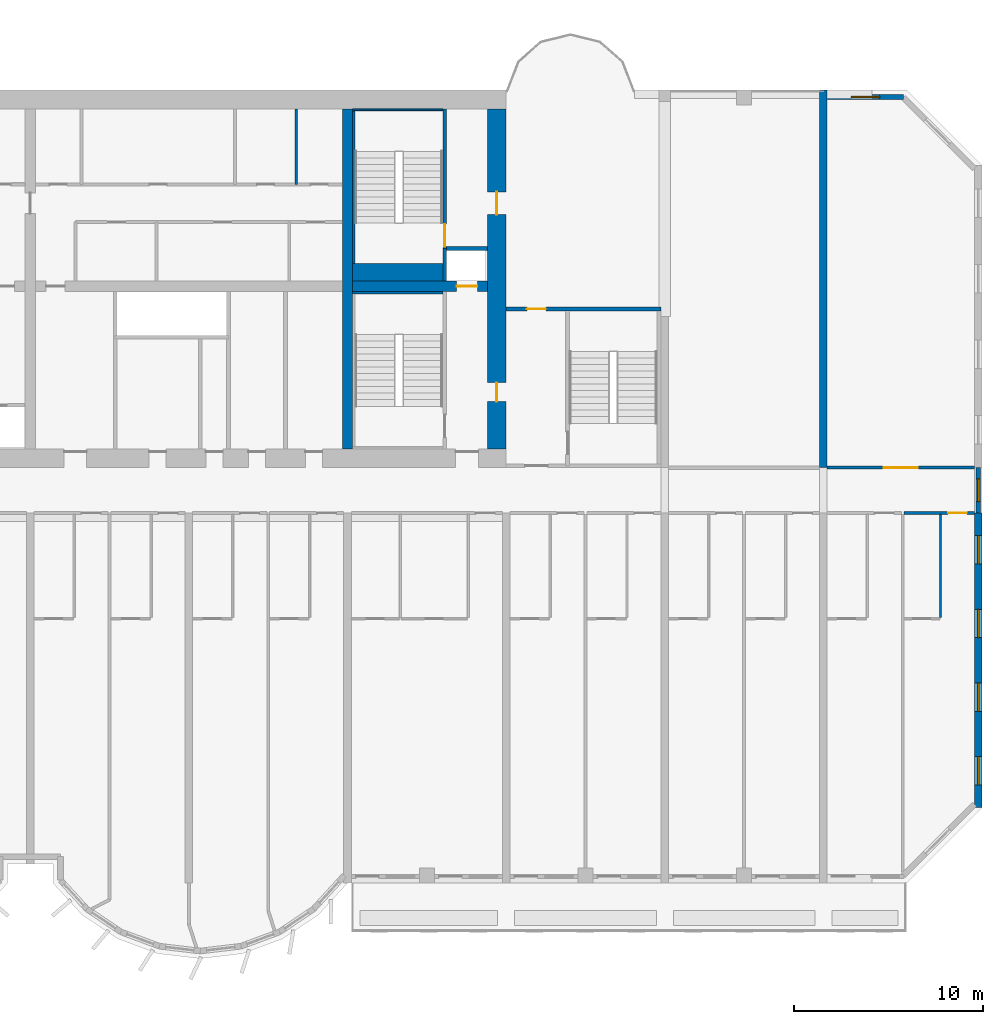
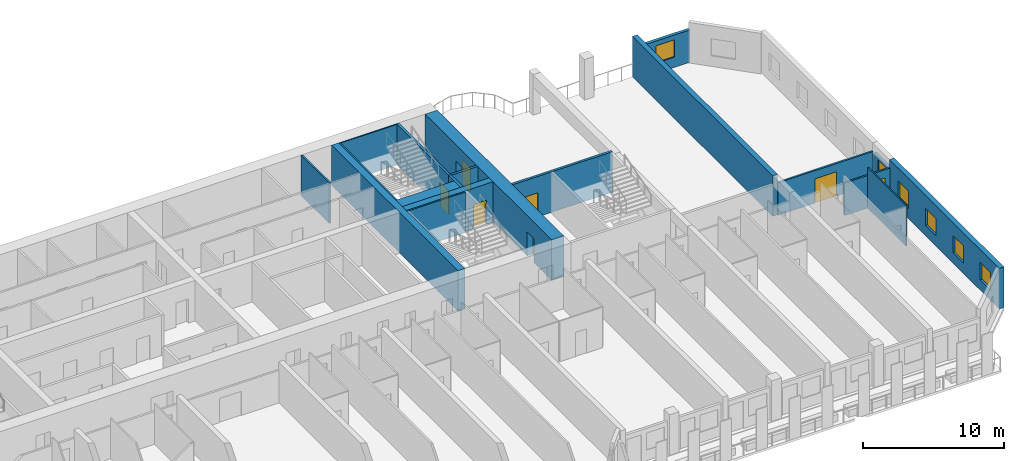
# One storey, part 10 of 14: 19 walls, 7 doors, 6 windows, 13 openings.
"""IFC4 building model written with IfcOpenShell, lengths in metres."""

from ifc_helpers import new_model, si_unit, direction, frame, frame_2d, origin, place, context, subcontext, project, spatial, rectangle, extrude, source, transform, mapped, material, layer, layer_set, type_object, element, fill, save


model = new_model("IFC4")

# Units and contexts
model_context = context("Model", 3, precision=1e-05, world=origin(), true_north=direction((0.0, 1.0)))
body_context = subcontext(model_context, "Body", "Model", "MODEL_VIEW")
ifc_project = project(units=[si_unit("LENGTHUNIT", "METRE"), si_unit("AREAUNIT", "SQUARE_METRE"), si_unit("VOLUMEUNIT", "CUBIC_METRE"), si_unit("PLANEANGLEUNIT", "RADIAN"), si_unit("MASSUNIT", "GRAM", prefix="KILO")], contexts=[model_context])

# Site, building, storey
site_placement = place(None, origin())
site = spatial("IfcSite", under=ifc_project, at=site_placement, CompositionType="ELEMENT")
building_placement = place(site_placement, origin())
building = spatial("IfcBuilding", under=site, at=building_placement, Name="Vanashikhar Sky Hotel", CompositionType="ELEMENT")
storey_placement = place(building_placement, frame((0.0, 0.0, 58.199951171875)))
storey = spatial("IfcBuildingStorey", under=building, at=storey_placement, Name="L13", CompositionType="ELEMENT", Elevation=58.199951171875)

# Wall, openings, doors
ifc_material_1 = material(Name="Concrete M80", Category="concrete")
ifc_layer_1 = layer(ifc_material_1, 1.0)
ifc_layer_set_1 = layer_set([ifc_layer_1], Name="RC core shell wall 1000 Concrete M80")
wall_type_1 = type_object("IfcWallType", Name="RC core shell wall 1000 Concrete M80", PredefinedType="SHEAR", material=ifc_layer_set_1)
shared_shape_1 = source(origin(), body_context, "Body", "SweptSolid", [
    extrude(rectangle(XDim=18.0, YDim=1.0, at=frame_2d((9.0, 0.0))), origin(), (0.0, 0.0, 1.0), 3.52001953125),
])
wall_1_placement = place(storey_placement, frame((75.10009765625, 23.0, 0.0), z_axis=(0.0, 0.0, 1.0), x_axis=(0.0, 1.0, 0.0)))
wall_1 = element("IfcWall", 1, at=wall_1_placement, inside=storey, type_object=wall_type_1, Name="KW-L13-KE", PredefinedType="SHEAR", context=body_context, shape_type="MappedRepresentation", body=[
    mapped(shared_shape_1, transform((0.0, 0.0, 0.0), scale=1.0)),
])
shared_shape_2 = source(origin(), body_context, "Body", "SweptSolid", [
    extrude(rectangle(XDim=1.0, YDim=2.10009765625, at=frame_2d((0.5, 1.050048828125))), frame((0.0, 0.510009765625, 0.0), z_axis=(0.0, -1.0, 0.0), x_axis=(1.0, 0.0, 0.0)), (0.0, 0.0, 1.0), 1.02001953125),
])
opening_1_placement = place(wall_1_placement, frame((2.5, 0.0, 0.0)))
opening_1 = element("IfcOpeningElement", 2, at=opening_1_placement, cuts=wall_1, Name="Opening DC-5", PredefinedType="OPENING", context=body_context, shape_type="MappedRepresentation", body=[
    mapped(shared_shape_2, transform((0.0, 0.0, 0.0), scale=1.0)),
])
shared_shape_3 = source(origin(), body_context, "Body", "SweptSolid", [
    extrude(rectangle(XDim=1.199951171875, YDim=2.10009765625, at=frame_2d((0.60009765625, 1.050048828125))), frame((0.0, 0.510009765625, 0.0), z_axis=(0.0, -1.0, 0.0), x_axis=(1.0, 0.0, 0.0)), (0.0, 0.0, 1.0), 1.02001953125),
])
opening_2_placement = place(wall_1_placement, frame((12.39990234375, 0.0, 0.0)))
opening_2 = element("IfcOpeningElement", 3, at=opening_2_placement, cuts=wall_1, Name="Opening DC-4-D", PredefinedType="OPENING", context=body_context, shape_type="MappedRepresentation", body=[
    mapped(shared_shape_3, transform((0.0, 0.0, 0.0), scale=1.0)),
])
ifc_material_2 = material(Name="Steel", Category="steel")
door_type_1 = type_object("IfcDoorType", Name="Refuge door 1000 FD120", OperationType="NOTDEFINED", PredefinedType="DOOR", material=ifc_material_2)
shared_shape_4 = source(origin(), body_context, "Body", "SweptSolid", [
    extrude(rectangle(XDim=1.0, YDim=2.10009765625, at=frame_2d((0.5, 1.050048828125))), frame((0.0, 0.02490234375, 0.0), z_axis=(0.0, -1.0, 0.0), x_axis=(1.0, 0.0, 0.0)), (0.0, 0.0, 1.0), 0.050048828125),
])
door_1_placement = place(opening_1_placement, origin())
door_1 = element("IfcDoor", 4, at=door_1_placement, inside=storey, type_object=door_type_1, Name="Refuge door 1000 FD120", OperationType="SINGLE_SWING_LEFT", OverallHeight=2.10009765625, OverallWidth=1.0, PredefinedType="DOOR", context=body_context, shape_type="MappedRepresentation", body=[
    mapped(shared_shape_4, transform((0.0, 0.0, 0.0), scale=1.0)),
])
fill(opening_1, door_1)
door_type_2 = type_object("IfcDoorType", Name="Service door 1200 FD120", OperationType="NOTDEFINED", PredefinedType="DOOR", material=ifc_material_2)
shared_shape_5 = source(origin(), body_context, "Body", "SweptSolid", [
    extrude(rectangle(XDim=1.199951171875, YDim=2.10009765625, at=frame_2d((0.60009765625, 1.050048828125))), frame((0.0, 0.02490234375, 0.0), z_axis=(0.0, -1.0, 0.0), x_axis=(1.0, 0.0, 0.0)), (0.0, 0.0, 1.0), 0.050048828125),
])
door_2_placement = place(opening_2_placement, origin())
door_2 = element("IfcDoor", 5, at=door_2_placement, inside=storey, type_object=door_type_2, Name="Service door 1200 FD120", OperationType="SINGLE_SWING_RIGHT", OverallHeight=2.10009765625, OverallWidth=1.199951171875, PredefinedType="DOOR", context=body_context, shape_type="MappedRepresentation", body=[
    mapped(shared_shape_5, transform((0.0, 0.0, 0.0), scale=1.0)),
])
fill(opening_2, door_2)

# Wall
ifc_layer_2 = layer(ifc_material_1, 0.550048828125)
ifc_layer_set_2 = layer_set([ifc_layer_2], Name="RC core inner wall 550 Concrete M80")
wall_type_2 = type_object("IfcWallType", Name="RC core inner wall 550 Concrete M80", PredefinedType="SHEAR", material=ifc_layer_set_2)
shared_shape_6 = source(origin(), body_context, "Body", "SweptSolid", [
    extrude(rectangle(XDim=18.0, YDim=0.550048828125, at=frame_2d((9.0, 0.0))), origin(), (0.0, 0.0, 1.0), 3.52001953125),
])
wall_2_placement = place(storey_placement, frame((67.199951171875, 23.0, 0.0), z_axis=(0.0, 0.0, 1.0), x_axis=(0.0, 1.0, 0.0)))
element("IfcWall", 6, at=wall_2_placement, inside=storey, type_object=wall_type_2, Name="KW-L13-KX3", PredefinedType="SHEAR", context=body_context, shape_type="MappedRepresentation", body=[
    mapped(shared_shape_6, transform((0.0, 0.0, 0.0), scale=1.0)),
])

# Wall, opening, door
shared_shape_7 = source(origin(), body_context, "Body", "SweptSolid", [
    extrude(rectangle(XDim=7.125, YDim=0.550048828125, at=frame_2d((3.5625, 0.0))), origin(), (0.0, 0.0, 1.0), 3.52001953125),
])
wall_3_placement = place(storey_placement, frame((67.47509765625, 31.60009765625, 0.0), z_axis=(0.0, 0.0, 1.0), x_axis=(1.0, 0.0, 0.0)))
wall_3 = element("IfcWall", 7, at=wall_3_placement, inside=storey, type_object=wall_type_2, Name="KW-L13-KY4", PredefinedType="SHEAR", context=body_context, shape_type="MappedRepresentation", body=[
    mapped(shared_shape_7, transform((0.0, 0.0, 0.0), scale=1.0)),
])
shared_shape_8 = source(origin(), body_context, "Body", "SweptSolid", [
    extrude(rectangle(XDim=1.10009765625, YDim=2.10009765625, at=frame_2d((0.550048828125, 1.050048828125))), frame((0.0, 0.28515625, 0.0), z_axis=(0.0, -1.0, 0.0), x_axis=(1.0, 0.0, 0.0)), (0.0, 0.0, 1.0), 0.570068359375),
])
opening_3_placement = place(wall_3_placement, frame((5.5, 0.0, 0.0)))
opening_3 = element("IfcOpeningElement", 8, at=opening_3_placement, cuts=wall_3, Name="Opening LD", PredefinedType="OPENING", context=body_context, shape_type="MappedRepresentation", body=[
    mapped(shared_shape_8, transform((0.0, 0.0, 0.0), scale=1.0)),
])
ifc_material_3 = material(Name="Stainless steel", Category="steel")
door_type_3 = type_object("IfcDoorType", Name="Lift landing door 1100", OperationType="NOTDEFINED", PredefinedType="DOOR", material=ifc_material_3)
shared_shape_9 = source(origin(), body_context, "Body", "SweptSolid", [
    extrude(rectangle(XDim=1.10009765625, YDim=2.10009765625, at=frame_2d((0.550048828125, 1.050048828125))), frame((0.0, 0.02490234375, 0.0), z_axis=(0.0, -1.0, 0.0), x_axis=(1.0, 0.0, 0.0)), (0.0, 0.0, 1.0), 0.050048828125),
])
door_3_placement = place(opening_3_placement, origin())
door_3 = element("IfcDoor", 9, at=door_3_placement, inside=storey, type_object=door_type_3, Name="Lift landing door 1100", OperationType="SLIDING_TO_RIGHT", OverallHeight=2.10009765625, OverallWidth=1.10009765625, PredefinedType="DOOR", context=body_context, shape_type="MappedRepresentation", body=[
    mapped(shared_shape_9, transform((0.0, 0.0, 0.0), scale=1.0)),
])
fill(opening_3, door_3)

# Wall, openings, windows
ifc_layer_3 = layer(ifc_material_1, 0.39990234375)
ifc_layer_set_3 = layer_set([ifc_layer_3], Name="RC shear wall 400 Concrete M80")
wall_type_3 = type_object("IfcWallType", Name="RC shear wall 400 Concrete M80", PredefinedType="SHEAR", material=ifc_layer_set_3)
shared_shape_10 = source(origin(), body_context, "Body", "SweptSolid", [
    extrude(rectangle(XDim=15.60009765625, YDim=0.39990234375, at=frame_2d((7.800048828125, 0.0))), origin(), (0.0, 0.0, 1.0), 3.52001953125),
])
wall_4_placement = place(storey_placement, frame((100.60009765625, 4.0, 0.0), z_axis=(0.0, 0.0, 1.0), x_axis=(0.0, 1.0, 0.0)))
wall_4 = element("IfcWall", 10, at=wall_4_placement, inside=storey, type_object=wall_type_3, Name="CW-L13-XW13-1", PredefinedType="SHEAR", context=body_context, shape_type="MappedRepresentation", body=[
    mapped(shared_shape_10, transform((0.0, 0.0, 0.0), scale=1.0)),
])
shared_shape_11 = source(origin(), body_context, "Body", "SweptSolid", [
    extrude(rectangle(XDim=1.5, YDim=1.5, at=frame_2d((0.75, 0.75))), frame((0.0, 0.2099609375, 0.0), z_axis=(0.0, -1.0, 0.0), x_axis=(1.0, 0.0, 0.0)), (0.0, 0.0, 1.0), 0.419921875),
])
opening_4_placement = place(wall_4_placement, frame((1.199951171875, 0.0, 0.89990234375)))
opening_4 = element("IfcOpeningElement", 11, at=opening_4_placement, cuts=wall_4, Name="Opening WN-1", PredefinedType="OPENING", context=body_context, shape_type="MappedRepresentation", body=[
    mapped(shared_shape_11, transform((0.0, 0.0, 0.0), scale=1.0)),
])
opening_5_placement = place(wall_4_placement, frame((5.10009765625, 0.0, 0.89990234375)))
opening_5 = element("IfcOpeningElement", 12, at=opening_5_placement, cuts=wall_4, Name="Opening WN-1", PredefinedType="OPENING", context=body_context, shape_type="MappedRepresentation", body=[
    mapped(shared_shape_11, transform((0.0, 0.0, 0.0), scale=1.0)),
])
opening_6_placement = place(wall_4_placement, frame((9.0, 0.0, 0.89990234375)))
opening_6 = element("IfcOpeningElement", 13, at=opening_6_placement, cuts=wall_4, Name="Opening WN-1", PredefinedType="OPENING", context=body_context, shape_type="MappedRepresentation", body=[
    mapped(shared_shape_11, transform((0.0, 0.0, 0.0), scale=1.0)),
])
opening_7_placement = place(wall_4_placement, frame((12.89990234375, 0.0, 0.89990234375)))
opening_7 = element("IfcOpeningElement", 14, at=opening_7_placement, cuts=wall_4, Name="Opening WN-1", PredefinedType="OPENING", context=body_context, shape_type="MappedRepresentation", body=[
    mapped(shared_shape_11, transform((0.0, 0.0, 0.0), scale=1.0)),
])
ifc_material_4 = material(Name="Glass", Category="glass")
window_type_1 = type_object("IfcWindowType", Name="Window 1500 x 1500", PartitioningType="SINGLE_PANEL", PredefinedType="WINDOW", material=ifc_material_4)
shared_shape_12 = source(origin(), body_context, "Body", "SweptSolid", [
    extrude(rectangle(XDim=1.5, YDim=1.5, at=frame_2d((0.75, 0.75))), frame((0.0, 0.030029296875, 0.0), z_axis=(0.0, -1.0, 0.0), x_axis=(1.0, 0.0, 0.0)), (0.0, 0.0, 1.0), 0.06005859375),
])
window_1_placement = place(opening_4_placement, origin())
window_1 = element("IfcWindow", 15, at=window_1_placement, inside=storey, type_object=window_type_1, Name="Window WN-1", OverallHeight=1.5, OverallWidth=1.5, PartitioningType="SINGLE_PANEL", PredefinedType="WINDOW", context=body_context, shape_type="MappedRepresentation", body=[
    mapped(shared_shape_12, transform((0.0, 0.0, 0.0), scale=1.0)),
])
fill(opening_4, window_1)
window_2_placement = place(opening_5_placement, origin())
window_2 = element("IfcWindow", 16, at=window_2_placement, inside=storey, type_object=window_type_1, Name="Window WN-1", OverallHeight=1.5, OverallWidth=1.5, PartitioningType="SINGLE_PANEL", PredefinedType="WINDOW", context=body_context, shape_type="MappedRepresentation", body=[
    mapped(shared_shape_12, transform((0.0, 0.0, 0.0), scale=1.0)),
])
fill(opening_5, window_2)
window_3_placement = place(opening_6_placement, origin())
window_3 = element("IfcWindow", 17, at=window_3_placement, inside=storey, type_object=window_type_1, Name="Window WN-1", OverallHeight=1.5, OverallWidth=1.5, PartitioningType="SINGLE_PANEL", PredefinedType="WINDOW", context=body_context, shape_type="MappedRepresentation", body=[
    mapped(shared_shape_12, transform((0.0, 0.0, 0.0), scale=1.0)),
])
fill(opening_6, window_3)
window_4_placement = place(opening_7_placement, origin())
window_4 = element("IfcWindow", 18, at=window_4_placement, inside=storey, type_object=window_type_1, Name="Window WN-1", OverallHeight=1.5, OverallWidth=1.5, PartitioningType="SINGLE_PANEL", PredefinedType="WINDOW", context=body_context, shape_type="MappedRepresentation", body=[
    mapped(shared_shape_12, transform((0.0, 0.0, 0.0), scale=1.0)),
])
fill(opening_7, window_4)

# Wall
shared_shape_13 = source(origin(), body_context, "Body", "SweptSolid", [
    extrude(rectangle(XDim=20.0, YDim=0.39990234375, at=frame_2d((10.0, 0.0))), origin(), (0.0, 0.0, 1.0), 3.52001953125),
])
wall_5_placement = place(storey_placement, frame((92.39990234375, 22.0, 0.0), z_axis=(0.0, 0.0, 1.0), x_axis=(0.0, 1.0, 0.0)))
element("IfcWall", 19, at=wall_5_placement, inside=storey, type_object=wall_type_3, Name="CW-L13-XW12-2", PredefinedType="SHEAR", context=body_context, shape_type="MappedRepresentation", body=[
    mapped(shared_shape_13, transform((0.0, 0.0, 0.0), scale=1.0)),
])

# Wall, opening, window
ifc_material_5 = material(Name="Concrete M50", Category="concrete")
ifc_layer_4 = layer(ifc_material_5, 0.25)
ifc_layer_set_4 = layer_set([ifc_layer_4], Name="Rear and end board-marked wall 250")
wall_type_4 = type_object("IfcWallType", Name="Rear and end board-marked wall 250", PredefinedType="SOLIDWALL", material=ifc_layer_set_4)
shared_shape_14 = source(origin(), body_context, "Body", "SweptSolid", [
    extrude(rectangle(XDim=2.39990234375, YDim=0.25, at=frame_2d((1.199951171875, 0.0))), origin(), (0.0, 0.0, 1.0), 2.6201171875),
])
wall_6_placement = place(storey_placement, frame((100.60009765625, 19.60009765625, 0.0), z_axis=(0.0, 0.0, 1.0), x_axis=(0.0, 1.0, 0.0)))
wall_6 = element("IfcWall", 20, at=wall_6_placement, inside=storey, type_object=wall_type_4, Name="End corridor infill wall", PredefinedType="SOLIDWALL", context=body_context, shape_type="MappedRepresentation", body=[
    mapped(shared_shape_14, transform((0.0, 0.0, 0.0), scale=1.0)),
])
shared_shape_15 = source(origin(), body_context, "Body", "SweptSolid", [
    extrude(rectangle(XDim=1.199951171875, YDim=1.5, at=frame_2d((0.60009765625, 0.75))), frame((0.0, 0.135009765625, 0.0), z_axis=(0.0, -1.0, 0.0), x_axis=(1.0, 0.0, 0.0)), (0.0, 0.0, 1.0), 0.27001953125),
])
opening_8_placement = place(wall_6_placement, frame((0.60009765625, 0.0, 0.89990234375)))
opening_8 = element("IfcOpeningElement", 21, at=opening_8_placement, cuts=wall_6, Name="Opening WN-3", PredefinedType="OPENING", context=body_context, shape_type="MappedRepresentation", body=[
    mapped(shared_shape_15, transform((0.0, 0.0, 0.0), scale=1.0)),
])
window_type_2 = type_object("IfcWindowType", Name="Corridor end window 1200 x 1500", PartitioningType="SINGLE_PANEL", PredefinedType="WINDOW", material=ifc_material_4)
shared_shape_16 = source(origin(), body_context, "Body", "SweptSolid", [
    extrude(rectangle(XDim=1.199951171875, YDim=1.5, at=frame_2d((0.60009765625, 0.75))), frame((0.0, 0.030029296875, 0.0), z_axis=(0.0, -1.0, 0.0), x_axis=(1.0, 0.0, 0.0)), (0.0, 0.0, 1.0), 0.06005859375),
])
window_5_placement = place(opening_8_placement, origin())
window_5 = element("IfcWindow", 22, at=window_5_placement, inside=storey, type_object=window_type_2, Name="Window WN-3", OverallHeight=1.5, OverallWidth=1.199951171875, PartitioningType="SINGLE_PANEL", PredefinedType="WINDOW", context=body_context, shape_type="MappedRepresentation", body=[
    mapped(shared_shape_16, transform((0.0, 0.0, 0.0), scale=1.0)),
])
fill(opening_8, window_5)

shared_shape_17 = source(origin(), body_context, "Body", "SweptSolid", [
    extrude(rectangle(XDim=4.044677734375, YDim=0.25, at=frame_2d((2.0224609375, 0.0))), origin(), (0.0, 0.0, 1.0), 2.820068359375),
])
wall_7_placement = place(storey_placement, frame((96.644775390625, 41.625, 0.0), z_axis=(0.0, 0.0, 1.0), x_axis=(-1.0, 0.0, 0.0)))
wall_7 = element("IfcWall", 23, at=wall_7_placement, inside=storey, type_object=wall_type_4, Name="Rear board-marked wall", PredefinedType="SOLIDWALL", context=body_context, shape_type="MappedRepresentation", body=[
    mapped(shared_shape_17, transform((0.0, 0.0, 0.0), scale=1.0)),
])
shared_shape_18 = source(origin(), body_context, "Body", "SweptSolid", [
    extrude(rectangle(XDim=1.5, YDim=1.5, at=frame_2d((0.75, 0.75))), frame((0.0, 0.135009765625, 0.0), z_axis=(0.0, -1.0, 0.0), x_axis=(1.0, 0.0, 0.0)), (0.0, 0.0, 1.0), 0.27001953125),
])
opening_9_placement = place(wall_7_placement, frame((1.272216796875, 0.0, 0.89990234375)))
opening_9 = element("IfcOpeningElement", 24, at=opening_9_placement, cuts=wall_7, Name="Opening WN-1", PredefinedType="OPENING", context=body_context, shape_type="MappedRepresentation", body=[
    mapped(shared_shape_18, transform((0.0, 0.0, 0.0), scale=1.0)),
])
window_6_placement = place(opening_9_placement, origin())
window_6 = element("IfcWindow", 25, at=window_6_placement, inside=storey, type_object=window_type_1, Name="Window WN-1", OverallHeight=1.5, OverallWidth=1.5, PartitioningType="SINGLE_PANEL", PredefinedType="WINDOW", context=body_context, shape_type="MappedRepresentation", body=[
    mapped(shared_shape_12, transform((0.0, 0.0, 0.0), scale=1.0)),
])
fill(opening_9, window_6)

# Wall, opening, door
ifc_layer_5 = layer(ifc_material_5, 0.199951171875)
ifc_layer_set_5 = layer_set([ifc_layer_5], Name="Stair wall 200")
wall_type_5 = type_object("IfcWallType", Name="Stair wall 200", PredefinedType="SOLIDWALL", material=ifc_layer_set_5)
shared_shape_19 = source(origin(), body_context, "Body", "SweptSolid", [
    extrude(rectangle(XDim=8.199951171875, YDim=0.199951171875, at=frame_2d((4.10009765625, 0.0))), origin(), (0.0, 0.0, 1.0), 3.52001953125),
])
wall_8_placement = place(storey_placement, frame((83.800048828125, 30.39990234375, 0.0), z_axis=(0.0, 0.0, 1.0), x_axis=(-1.0, 0.0, 0.0)))
wall_8 = element("IfcWall", 26, at=wall_8_placement, inside=storey, type_object=wall_type_5, Name="Stair wall 200", PredefinedType="SOLIDWALL", context=body_context, shape_type="MappedRepresentation", body=[
    mapped(shared_shape_19, transform((0.0, 0.0, 0.0), scale=1.0)),
])
shared_shape_20 = source(origin(), body_context, "Body", "SweptSolid", [
    extrude(rectangle(XDim=1.0, YDim=2.10009765625, at=frame_2d((0.5, 1.050048828125))), frame((0.0, 0.10986328125, 0.0), z_axis=(0.0, -1.0, 0.0), x_axis=(1.0, 0.0, 0.0)), (0.0, 0.0, 1.0), 0.219970703125),
])
opening_10_placement = place(wall_8_placement, frame((6.10009765625, 0.0, 0.0)))
opening_10 = element("IfcOpeningElement", 27, at=opening_10_placement, cuts=wall_8, Name="Opening DC-6", PredefinedType="OPENING", context=body_context, shape_type="MappedRepresentation", body=[
    mapped(shared_shape_20, transform((0.0, 0.0, 0.0), scale=1.0)),
])
door_type_4 = type_object("IfcDoorType", Name="Pocket door 1000 FD60", OperationType="NOTDEFINED", PredefinedType="DOOR", material=ifc_material_2)
door_4_placement = place(opening_10_placement, origin())
door_4 = element("IfcDoor", 28, at=door_4_placement, inside=storey, type_object=door_type_4, Name="Pocket door 1000 FD60", OperationType="SINGLE_SWING_LEFT", OverallHeight=2.10009765625, OverallWidth=1.0, PredefinedType="DOOR", context=body_context, shape_type="MappedRepresentation", body=[
    mapped(shared_shape_4, transform((0.0, 0.0, 0.0), scale=1.0)),
])
fill(opening_10, door_4)

# Walls
ifc_material_6 = material(Name="Concrete M40", Category="concrete")
ifc_layer_6 = layer(ifc_material_6, 0.199951171875)
ifc_layer_set_6 = layer_set([ifc_layer_6], Name="Shaft wall 200")
wall_type_6 = type_object("IfcWallType", Name="Shaft wall 200", PredefinedType="SOLIDWALL", material=ifc_layer_set_6)
shared_shape_21 = source(origin(), body_context, "Body", "SweptSolid", [
    extrude(rectangle(XDim=2.150146484375, YDim=0.199951171875, at=frame_2d((1.0751953125, 0.0))), origin(), (0.0, 0.0, 1.0), 3.52001953125),
])
wall_9_placement = place(storey_placement, frame((72.449951171875, 33.60009765625, 0.0), z_axis=(0.0, 0.0, 1.0), x_axis=(1.0, 0.0, 0.0)))
element("IfcWall", 29, at=wall_9_placement, inside=storey, type_object=wall_type_6, Name="Shaft wall 200", PredefinedType="SOLIDWALL", context=body_context, shape_type="MappedRepresentation", body=[
    mapped(shared_shape_21, transform((0.0, 0.0, 0.0), scale=1.0)),
])
ifc_material_7 = material(Name="Gypsum board partition")
ifc_layer_7 = layer(ifc_material_7, 0.14990234375)
ifc_layer_set_7 = layer_set([ifc_layer_7], Name="Service partition 150")
wall_type_7 = type_object("IfcWallType", Name="Service partition 150", PredefinedType="PARTITIONING", material=ifc_layer_set_7)
shared_shape_22 = source(origin(), body_context, "Body", "SweptSolid", [
    extrude(rectangle(XDim=4.0, YDim=0.14990234375, at=frame_2d((2.0, 0.0))), origin(), (0.0, 0.0, 1.0), 3.52001953125),
])
wall_10_placement = place(storey_placement, frame((64.487060546875, 37.0, 0.0), z_axis=(0.0, 0.0, 1.0), x_axis=(0.0, 1.0, 0.0)))
element("IfcWall", 30, at=wall_10_placement, inside=storey, type_object=wall_type_7, Name="Service partition 150", PredefinedType="PARTITIONING", context=body_context, shape_type="MappedRepresentation", body=[
    mapped(shared_shape_22, transform((0.0, 0.0, 0.0), scale=1.0)),
])
shared_shape_23 = source(origin(), body_context, "Body", "SweptSolid", [
    extrude(rectangle(XDim=1.72509765625, YDim=0.199951171875, at=frame_2d((0.862548828125, 0.0))), origin(), (0.0, 0.0, 1.0), 3.52001953125),
])
wall_11_placement = place(storey_placement, frame((72.35009765625, 31.875, 0.0), z_axis=(0.0, 0.0, 1.0), x_axis=(0.0, 1.0, 0.0)))
element("IfcWall", 31, at=wall_11_placement, inside=storey, type_object=wall_type_6, Name="Shaft wall 200", PredefinedType="SOLIDWALL", context=body_context, shape_type="MappedRepresentation", body=[
    mapped(shared_shape_23, transform((0.0, 0.0, 0.0), scale=1.0)),
])

# Wall, opening, door
shared_shape_24 = source(origin(), body_context, "Body", "SweptSolid", [
    extrude(rectangle(XDim=7.39990234375, YDim=0.199951171875, at=frame_2d((3.699951171875, 0.0))), origin(), (0.0, 0.0, 1.0), 3.52001953125),
])
wall_12_placement = place(storey_placement, frame((72.35009765625, 33.60009765625, 0.0), z_axis=(0.0, 0.0, 1.0), x_axis=(0.0, 1.0, 0.0)))
wall_12 = element("IfcWall", 32, at=wall_12_placement, inside=storey, type_object=wall_type_5, Name="Stair wall 200", PredefinedType="SOLIDWALL", context=body_context, shape_type="MappedRepresentation", body=[
    mapped(shared_shape_24, transform((0.0, 0.0, 0.0), scale=1.0)),
])
shared_shape_25 = source(origin(), body_context, "Body", "SweptSolid", [
    extrude(rectangle(XDim=1.199951171875, YDim=2.10009765625, at=frame_2d((0.60009765625, 1.050048828125))), frame((0.0, 0.10986328125, 0.0), z_axis=(0.0, -1.0, 0.0), x_axis=(1.0, 0.0, 0.0)), (0.0, 0.0, 1.0), 0.219970703125),
])
opening_11_placement = place(wall_12_placement, frame((0.10009765625, 0.0, 0.0)))
opening_11 = element("IfcOpeningElement", 33, at=opening_11_placement, cuts=wall_12, Name="Opening DC-1", PredefinedType="OPENING", context=body_context, shape_type="MappedRepresentation", body=[
    mapped(shared_shape_25, transform((0.0, 0.0, 0.0), scale=1.0)),
])
door_type_5 = type_object("IfcDoorType", Name="Stair door 1200 FD120", OperationType="NOTDEFINED", PredefinedType="DOOR", material=ifc_material_2)
door_5_placement = place(opening_11_placement, origin())
door_5 = element("IfcDoor", 34, at=door_5_placement, inside=storey, type_object=door_type_5, Name="Stair door 1200 FD120", OperationType="SINGLE_SWING_LEFT", OverallHeight=2.10009765625, OverallWidth=1.199951171875, PredefinedType="DOOR", context=body_context, shape_type="MappedRepresentation", body=[
    mapped(shared_shape_5, transform((0.0, 0.0, 0.0), scale=1.0)),
])
fill(opening_11, door_5)

# Walls
ifc_layer_8 = layer(ifc_material_5, 0.10009765625)
ifc_layer_set_8 = layer_set([ifc_layer_8], Name="Stair infill wall 100")
wall_type_8 = type_object("IfcWallType", Name="Stair infill wall 100", PredefinedType="SOLIDWALL", material=ifc_layer_set_8)
shared_shape_26 = source(origin(), body_context, "Body", "SweptSolid", [
    extrude(rectangle(XDim=4.77490234375, YDim=0.10009765625, at=frame_2d((2.387451171875, 0.0))), origin(), (0.0, 0.0, 1.0), 3.52001953125),
])
wall_13_placement = place(storey_placement, frame((67.47509765625, 40.949951171875, 0.0), z_axis=(0.0, 0.0, 1.0), x_axis=(1.0, 0.0, 0.0)))
element("IfcWall", 35, at=wall_13_placement, inside=storey, type_object=wall_type_8, Name="Stair infill wall 100", PredefinedType="SOLIDWALL", context=body_context, shape_type="MappedRepresentation", body=[
    mapped(shared_shape_26, transform((0.0, 0.0, 0.0), scale=1.0)),
])
ifc_layer_9 = layer(ifc_material_5, 0.125)
ifc_layer_set_9 = layer_set([ifc_layer_9], Name="Stair infill wall 125")
wall_type_9 = type_object("IfcWallType", Name="Stair infill wall 125", PredefinedType="SOLIDWALL", material=ifc_layer_set_9)
shared_shape_27 = source(origin(), body_context, "Body", "SweptSolid", [
    extrude(rectangle(XDim=4.77490234375, YDim=0.125, at=frame_2d((2.387451171875, 0.0))), origin(), (0.0, 0.0, 1.0), 3.52001953125),
])
wall_14_placement = place(storey_placement, frame((67.47509765625, 31.261962890625, 0.0), z_axis=(0.0, 0.0, 1.0), x_axis=(1.0, 0.0, 0.0)))
element("IfcWall", 36, at=wall_14_placement, inside=storey, type_object=wall_type_9, Name="Stair infill wall 125", PredefinedType="SOLIDWALL", context=body_context, shape_type="MappedRepresentation", body=[
    mapped(shared_shape_27, transform((0.0, 0.0, 0.0), scale=1.0)),
])
shared_shape_28 = source(origin(), body_context, "Body", "SweptSolid", [
    extrude(rectangle(XDim=8.099853515625, YDim=0.125, at=frame_2d((4.0498046875, 0.0))), origin(), (0.0, 0.0, 1.0), 3.52001953125),
])
wall_15_placement = place(storey_placement, frame((67.537109375, 32.800048828125, 0.0), z_axis=(0.0, 0.0, 1.0), x_axis=(0.0, 1.0, 0.0)))
element("IfcWall", 37, at=wall_15_placement, inside=storey, type_object=wall_type_9, Name="Stair infill wall 125", PredefinedType="SOLIDWALL", context=body_context, shape_type="MappedRepresentation", body=[
    mapped(shared_shape_28, transform((0.0, 0.0, 0.0), scale=1.0)),
])
ifc_layer_10 = layer(ifc_material_5, 0.925048828125)
ifc_layer_set_10 = layer_set([ifc_layer_10], Name="Stair infill wall 925")
wall_type_10 = type_object("IfcWallType", Name="Stair infill wall 925", PredefinedType="SOLIDWALL", material=ifc_layer_set_10)
shared_shape_29 = source(origin(), body_context, "Body", "SweptSolid", [
    extrude(rectangle(XDim=4.77490234375, YDim=0.925048828125, at=frame_2d((2.387451171875, 0.0))), origin(), (0.0, 0.0, 1.0), 3.52001953125),
])
wall_16_placement = place(storey_placement, frame((67.47509765625, 32.3369140625, 0.0), z_axis=(0.0, 0.0, 1.0), x_axis=(1.0, 0.0, 0.0)))
element("IfcWall", 38, at=wall_16_placement, inside=storey, type_object=wall_type_10, Name="Stair infill wall 925", PredefinedType="SOLIDWALL", context=body_context, shape_type="MappedRepresentation", body=[
    mapped(shared_shape_29, transform((0.0, 0.0, 0.0), scale=1.0)),
])

# Wall, opening, door
ifc_material_8 = material(Name="Gypsum plasterboard partition")
ifc_layer_11 = layer(ifc_material_8, 0.14990234375)
ifc_layer_set_11 = layer_set([ifc_layer_11], Name="Corridor and demising partition 150")
wall_type_11 = type_object("IfcWallType", Name="Corridor and demising partition 150", PredefinedType="PARTITIONING", material=ifc_layer_set_11)
shared_shape_30 = source(origin(), body_context, "Body", "SweptSolid", [
    extrude(rectangle(XDim=7.7998046875, YDim=0.14990234375, at=frame_2d((3.89990234375, 0.0))), origin(), (0.0, 0.0, 1.0), 2.820068359375),
])
wall_17_placement = place(storey_placement, frame((92.60009765625, 22.0, 0.0), z_axis=(0.0, 0.0, 1.0), x_axis=(1.0, 0.0, 0.0)))
wall_17 = element("IfcWall", 39, at=wall_17_placement, inside=storey, type_object=wall_type_11, Name="W-L13-PW085", PredefinedType="PARTITIONING", context=body_context, shape_type="MappedRepresentation", body=[
    mapped(shared_shape_30, transform((0.0, 0.0, 0.0), scale=1.0)),
])
shared_shape_31 = source(origin(), body_context, "Body", "SweptSolid", [
    extrude(rectangle(XDim=1.800048828125, YDim=2.10009765625, at=frame_2d((0.89990234375, 1.050048828125))), frame((0.0, 0.0849609375, 0.0), z_axis=(0.0, -1.0, 0.0), x_axis=(1.0, 0.0, 0.0)), (0.0, 0.0, 1.0), 0.169921875),
])
opening_12_placement = place(wall_17_placement, frame((3.0, 0.0, 0.0)))
opening_12 = element("IfcOpeningElement", 40, at=opening_12_placement, cuts=wall_17, Name="Opening D-03", PredefinedType="OPENING", context=body_context, shape_type="MappedRepresentation", body=[
    mapped(shared_shape_31, transform((0.0, 0.0, 0.0), scale=1.0)),
])
ifc_material_9 = material(Name="Timber fire door", Category="wood")
door_type_6 = type_object("IfcDoorType", Name="Double leaf door 1800 FD30S", OperationType="NOTDEFINED", PredefinedType="DOOR", material=ifc_material_9)
shared_shape_32 = source(origin(), body_context, "Body", "SweptSolid", [
    extrude(rectangle(XDim=1.800048828125, YDim=2.10009765625, at=frame_2d((0.89990234375, 1.050048828125))), frame((0.0, 0.02490234375, 0.0), z_axis=(0.0, -1.0, 0.0), x_axis=(1.0, 0.0, 0.0)), (0.0, 0.0, 1.0), 0.050048828125),
])
door_6_placement = place(opening_12_placement, origin())
door_6 = element("IfcDoor", 41, at=door_6_placement, inside=storey, type_object=door_type_6, Name="D-L13-049", OperationType="DOUBLE_DOOR_SINGLE_SWING", OverallHeight=2.10009765625, OverallWidth=1.800048828125, PredefinedType="DOOR", context=body_context, shape_type="MappedRepresentation", body=[
    mapped(shared_shape_32, transform((0.0, 0.0, 0.0), scale=1.0)),
])
fill(opening_12, door_6)

shared_shape_33 = source(origin(), body_context, "Body", "SweptSolid", [
    extrude(rectangle(XDim=3.724853515625, YDim=0.14990234375, at=frame_2d((1.8623046875, 0.0))), origin(), (0.0, 0.0, 1.0), 2.820068359375),
])
wall_18_placement = place(storey_placement, frame((96.675048828125, 19.60009765625, 0.0), z_axis=(0.0, 0.0, 1.0), x_axis=(1.0, 0.0, 0.0)))
wall_18 = element("IfcWall", 42, at=wall_18_placement, inside=storey, type_object=wall_type_11, Name="W-L13-PW069", PredefinedType="PARTITIONING", context=body_context, shape_type="MappedRepresentation", body=[
    mapped(shared_shape_33, transform((0.0, 0.0, 0.0), scale=1.0)),
])
shared_shape_34 = source(origin(), body_context, "Body", "SweptSolid", [
    extrude(rectangle(XDim=1.0, YDim=2.10009765625, at=frame_2d((0.5, 1.050048828125))), frame((0.0, 0.0849609375, 0.0), z_axis=(0.0, -1.0, 0.0), x_axis=(1.0, 0.0, 0.0)), (0.0, 0.0, 1.0), 0.169921875),
])
opening_13_placement = place(wall_18_placement, frame((2.324951171875, 0.0, 0.0)))
opening_13 = element("IfcOpeningElement", 43, at=opening_13_placement, cuts=wall_18, Name="Opening D-01", PredefinedType="OPENING", context=body_context, shape_type="MappedRepresentation", body=[
    mapped(shared_shape_34, transform((0.0, 0.0, 0.0), scale=1.0)),
])
door_type_7 = type_object("IfcDoorType", Name="Guest entry door 1000 FD30S", OperationType="NOTDEFINED", PredefinedType="DOOR", material=ifc_material_9)
door_7_placement = place(opening_13_placement, origin())
door_7 = element("IfcDoor", 44, at=door_7_placement, inside=storey, type_object=door_type_7, Name="D-L13-041", OperationType="SINGLE_SWING_RIGHT", OverallHeight=2.10009765625, OverallWidth=1.0, PredefinedType="DOOR", context=body_context, shape_type="MappedRepresentation", body=[
    mapped(shared_shape_4, transform((0.0, 0.0, 0.0), scale=1.0)),
])
fill(opening_13, door_7)

# Wall
ifc_layer_12 = layer(ifc_material_8, 0.10009765625)
ifc_layer_set_12 = layer_set([ifc_layer_12], Name="Wet room partition 100")
wall_type_12 = type_object("IfcWallType", Name="Wet room partition 100", PredefinedType="PARTITIONING", material=ifc_layer_set_12)
shared_shape_35 = source(origin(), body_context, "Body", "SweptSolid", [
    extrude(rectangle(XDim=5.449951171875, YDim=0.10009765625, at=frame_2d((2.72509765625, 0.0))), origin(), (0.0, 0.0, 1.0), 3.52001953125),
])
wall_19_placement = place(storey_placement, frame((98.60009765625, 14.074951171875, 0.0), z_axis=(0.0, 0.0, 1.0), x_axis=(0.0, 1.0, 0.0)))
element("IfcWall", 45, at=wall_19_placement, inside=storey, type_object=wall_type_12, Name="W-L13-PW067", PredefinedType="PARTITIONING", context=body_context, shape_type="MappedRepresentation", body=[
    mapped(shared_shape_35, transform((0.0, 0.0, 0.0), scale=1.0)),
])

save(model, "model.ifc")
